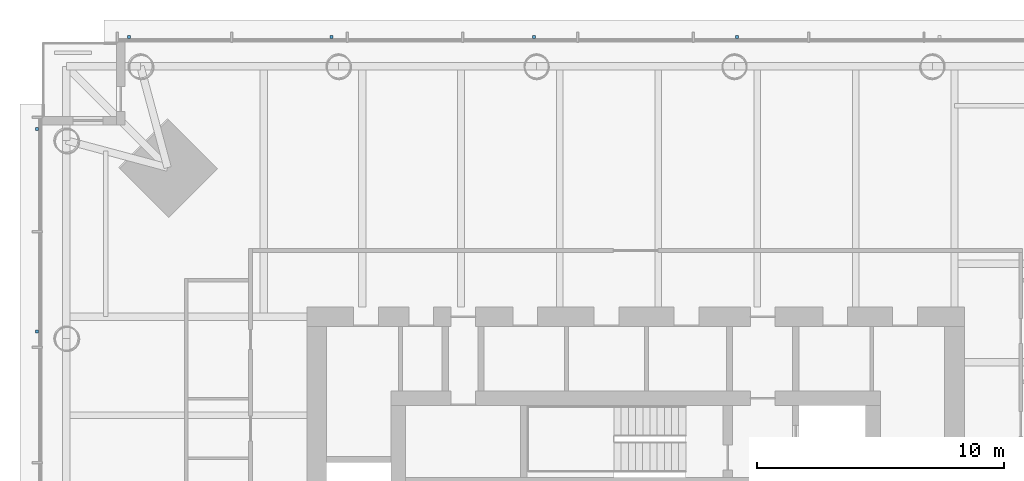
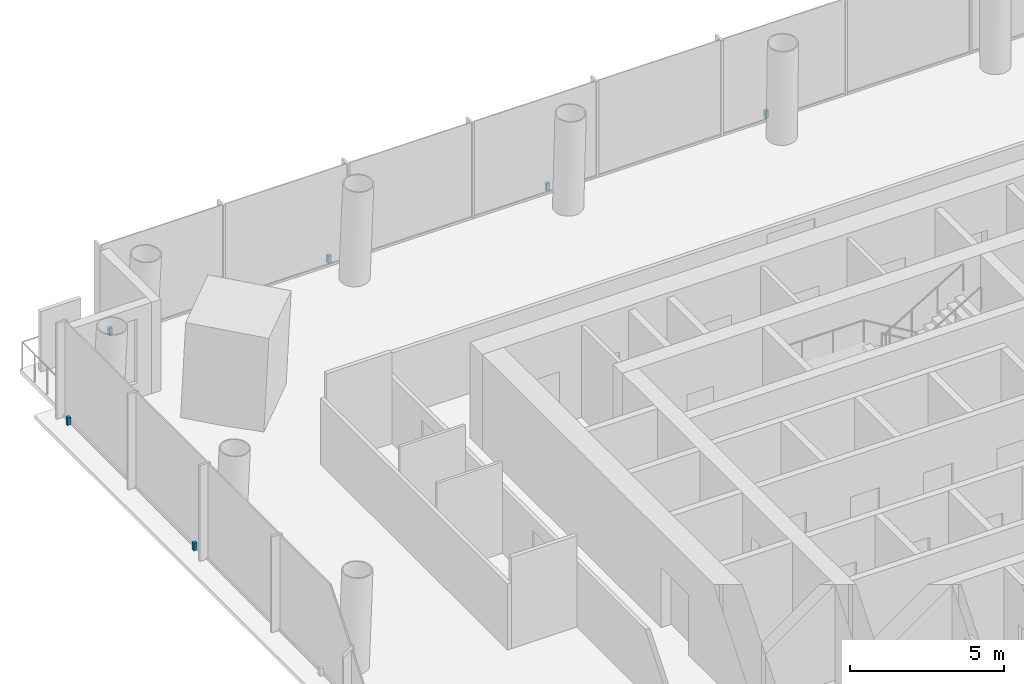
# One storey, part 20 of 26: 6 discrete accessories.
"""IFC4 building model written with IfcOpenShell, lengths in metres."""

from ifc_helpers import new_model, si_unit, direction, frame, origin, origin_2d, place, context, subcontext, project, spatial, rectangle, extrude, material, type_object, element, save


model = new_model("IFC4")

# Units and contexts
model_context = context("Model", 3, precision=1e-05, world=origin(), true_north=direction((0.0, 1.0)))
body_context = subcontext(model_context, "Body", "Model", "MODEL_VIEW")
ifc_project = project(units=[si_unit("LENGTHUNIT", "METRE"), si_unit("AREAUNIT", "SQUARE_METRE"), si_unit("VOLUMEUNIT", "CUBIC_METRE"), si_unit("PLANEANGLEUNIT", "RADIAN"), si_unit("MASSUNIT", "GRAM", prefix="KILO")], contexts=[model_context])

# Site, building, storey
site_placement = place(None, origin())
site = spatial("IfcSite", under=ifc_project, at=site_placement, CompositionType="ELEMENT")
building_placement = place(site_placement, origin())
building = spatial("IfcBuilding", under=site, at=building_placement, Name="Ostroluk Exchange", CompositionType="ELEMENT")
storey_placement = place(building_placement, frame((0.0, 0.0, 51.39990234375)))
storey = spatial("IfcBuildingStorey", under=building, at=storey_placement, Name="L12", CompositionType="ELEMENT", Elevation=51.39990234375)

# Discrete accessories
ifc_material = material(Name="Stainless steel", Category="steel")
discrete_accessory_type = type_object("IfcDiscreteAccessoryType", Name="Fall-arrest anchor PN-EN 795 type C", PredefinedType="USERDEFINED", material=ifc_material)
for number, where, z_axis, x_axis, name in (
    (1, (24.5, 70.2099609375, 0.0), (0.0, 0.0, 1.0), (1.0, 0.0, 0.0), "Fall-arrest anchor L12 north 1"),
    (2, (32.699951171875, 70.2099609375, 0.0), (0.0, 0.0, 1.0), (1.0, 0.0, 0.0), "Fall-arrest anchor L12 north 2"),
    (3, (40.89990234375, 70.2099609375, 0.0), (0.0, 0.0, 1.0), (1.0, 0.0, 0.0), "Fall-arrest anchor L12 north 3"),
    (4, (49.10009765625, 70.2099609375, 0.0), (0.0, 0.0, 1.0), (1.0, 0.0, 0.0), "Fall-arrest anchor L12 north 4"),
    (5, (20.7900390625, 58.300048828125, 0.0), (0.0, 0.0, 1.0), (1.0, 0.0, 0.0), "Fall-arrest anchor L12 west 5"),
    (6, (20.7900390625, 66.5, 0.0), (0.0, 0.0, 1.0), (1.0, 0.0, 0.0), "Fall-arrest anchor L12 west 6"),
):
    element("IfcDiscreteAccessory", number, at=place(storey_placement, frame(where, z_axis=z_axis, x_axis=x_axis)), inside=storey, type_object=discrete_accessory_type, Name=name, ObjectType="FALL ARREST ANCHOR", PredefinedType="USERDEFINED", context=body_context, shape_type="SweptSolid", body=[
        extrude(rectangle(XDim=0.1201171875, YDim=0.1201171875, at=origin_2d()), origin(), (0.0, 0.0, 1.0), 0.300048828125),
    ])

save(model, "model.ifc")
